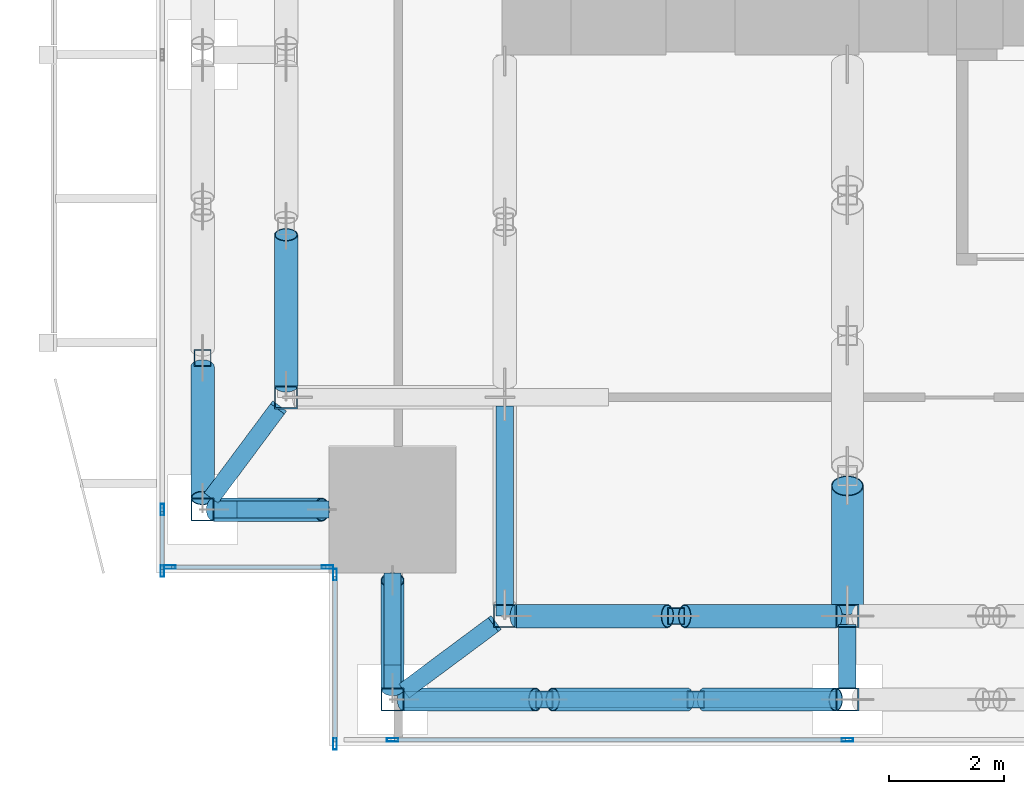
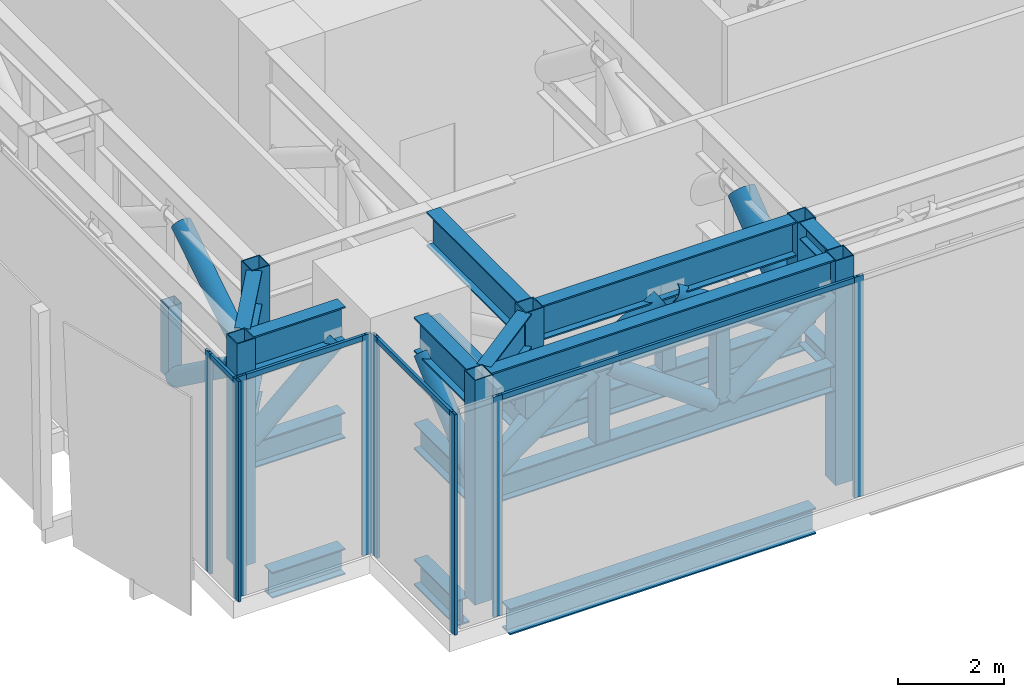
# One storey, part 2 of 39: 42 members, 9 beams, 4 elements without a shape of their own.
"""IFC4 building model written with IfcOpenShell, lengths in metres."""

from ifc_helpers import new_model, si_unit, direction, frame, origin, origin_2d, place, context, subcontext, project, spatial, hollow_rectangle, hollow_circle, i_section, extrude, source, transform, mapped, material, material_profile, profile_set, type_object, element, aggregate, save


model = new_model("IFC4")

# Units and contexts
model_context = context("Model", 3, precision=1e-05, world=origin(), true_north=direction((0.0, 1.0)))
body_context = subcontext(model_context, "Body", "Model", "MODEL_VIEW")
ifc_project = project(units=[si_unit("LENGTHUNIT", "METRE"), si_unit("AREAUNIT", "SQUARE_METRE"), si_unit("VOLUMEUNIT", "CUBIC_METRE"), si_unit("PLANEANGLEUNIT", "RADIAN"), si_unit("MASSUNIT", "GRAM", prefix="KILO")], contexts=[model_context])

# Site, building, storey
site_placement = place(None, origin())
site = spatial("IfcSite", under=ifc_project, at=site_placement, CompositionType="ELEMENT")
building_placement = place(site_placement, origin())
building = spatial("IfcBuilding", under=site, at=building_placement, Name="Khomas Fold Tower", CompositionType="ELEMENT")
storey_placement = place(building_placement, frame((0.0, 0.0, 96.0)))
storey = spatial("IfcBuildingStorey", under=building, at=storey_placement, Name="L20", CompositionType="ELEMENT", Elevation=96.0)

# Beams
ifc_material_1 = material(Name="Steel S355", Category="steel")
ifc_material_profile_1 = material_profile(ifc_material_1, i_section(OverallWidth=0.300048828125, OverallDepth=0.60009765625, WebThickness=0.015380859375, FlangeThickness=0.030029296875, at=origin_2d()), Name="HE 600 B")
ifc_profile_set_1 = profile_set([ifc_material_profile_1], Name="Steel S355")
beam_type_1 = type_object("IfcBeamType", Name="HE 600 B spandrel SB1", PredefinedType="SPANDREL", material=ifc_profile_set_1)
shared_shape_1 = source(origin(), body_context, "Body", "SweptSolid", [
    extrude(i_section(OverallWidth=0.300048828125, OverallDepth=0.60009765625, WebThickness=0.015380859375, FlangeThickness=0.030029296875, at=origin_2d()), origin(), (0.0, 0.0, 1.0), 6.699951171875),
])
beam_1_placement = place(storey_placement, frame((4.699951171875, 0.800048828125, -0.699951171875), z_axis=(1.0, 0.0, 0.0), x_axis=(0.0, 1.0, 0.0)))
element("IfcBeam", 1, at=beam_1_placement, inside=storey, type_object=beam_type_1, Name="SB1", PredefinedType="SPANDREL", context=body_context, shape_type="MappedRepresentation", body=[
    mapped(shared_shape_1, transform((0.0, 0.0, 0.0))),
])
shared_shape_2 = source(origin(), body_context, "Body", "SweptSolid", [
    extrude(i_section(OverallWidth=0.300048828125, OverallDepth=0.60009765625, WebThickness=0.015380859375, FlangeThickness=0.030029296875, at=origin_2d()), origin(), (0.0, 0.0, 1.0), 1.60009765625),
])
for number, where, z_axis, x_axis, name in (
    (2, (1.39990234375, 4.10009765625, -0.699951171875), (1.0, 0.0, 0.0), (0.0, 1.0, 0.0), "SB1"),
    (3, (4.10009765625, 1.39990234375, -0.699951171875), (0.0, 1.0, 0.0), (-1.0, 0.0, 0.0), "SB1"),
):
    element("IfcBeam", number, at=place(storey_placement, frame(where, z_axis=z_axis, x_axis=x_axis)), inside=storey, type_object=beam_type_1, Name=name, PredefinedType="SPANDREL", context=body_context, shape_type="MappedRepresentation", body=[
        mapped(shared_shape_2, transform((0.0, 0.0, 0.0))),
    ])

# Members
ifc_material_2 = material(Name="Steel S460M", Category="steel")
ifc_material_profile_2 = material_profile(ifc_material_2, i_section(OverallWidth=0.300048828125, OverallDepth=0.800048828125, WebThickness=0.017578125, FlangeThickness=0.032958984375, at=origin_2d()), Name="HE 800 B")
ifc_profile_set_2 = profile_set([ifc_material_profile_2], Name="Steel S460M")
member_type_1 = type_object("IfcMemberType", Name="BELT TRUSS 1 TOP CHORD HE 800 B", PredefinedType="CHORD", material=ifc_profile_set_2)
shared_shape_3 = source(origin(), body_context, "Body", "SweptSolid", [
    extrude(i_section(OverallWidth=0.300048828125, OverallDepth=0.800048828125, WebThickness=0.017578125, FlangeThickness=0.032958984375, at=origin_2d()), origin(), (0.0, 0.0, 1.0), 7.5),
])
member_1_placement = place(storey_placement, frame((4.300048828125, 0.800048828125, 4.800048828125), z_axis=(1.0, 0.0, 0.0), x_axis=(0.0, 1.0, 0.0)))
element("IfcMember", 4, at=member_1_placement, inside=storey, type_object=member_type_1, Name="BT1-CT", PredefinedType="CHORD", context=body_context, shape_type="MappedRepresentation", body=[
    mapped(shared_shape_3, transform((0.0, 0.0, 0.0))),
])
ifc_material_3 = material(Name="Steel S355", Category="steel")
ifc_material_profile_3 = material_profile(ifc_material_3, i_section(OverallWidth=0.300048828125, OverallDepth=0.60009765625, WebThickness=0.015380859375, FlangeThickness=0.030029296875, at=origin_2d()), Name="HE 600 B")
ifc_profile_set_3 = profile_set([ifc_material_profile_3], Name="Steel S355")
member_type_2 = type_object("IfcMemberType", Name="BELT TRUSS 1 BOTTOM CHORD HE 600 B", PredefinedType="CHORD", material=ifc_profile_set_3)
shared_shape_4 = source(origin(), body_context, "Body", "SweptSolid", [
    extrude(i_section(OverallWidth=0.300048828125, OverallDepth=0.60009765625, WebThickness=0.015380859375, FlangeThickness=0.030029296875, at=origin_2d()), origin(), (0.0, 0.0, 1.0), 7.5),
])
member_2_placement = place(storey_placement, frame((4.300048828125, 0.800048828125, 2.449951171875), z_axis=(1.0, 0.0, 0.0), x_axis=(0.0, 1.0, 0.0)))
element("IfcMember", 5, at=member_2_placement, inside=storey, type_object=member_type_2, Name="BT1-CB", PredefinedType="CHORD", context=body_context, shape_type="MappedRepresentation", body=[
    mapped(shared_shape_4, transform((0.0, 0.0, 0.0))),
])
ifc_material_4 = material(Name="Steel S355", Category="steel")
ifc_material_profile_4 = material_profile(ifc_material_4, hollow_circle(Radius=0.203125, WallThickness=0.01611328125, at=origin_2d()), Name="CHS 406.4x16")
ifc_profile_set_4 = profile_set([ifc_material_profile_4], Name="Steel S355")
member_type_3 = type_object("IfcMemberType", Name="BELT TRUSS 1 DIAGONAL CHS 406.4x16", PredefinedType="BRACE", material=ifc_profile_set_4)
shared_shape_5 = source(origin(), body_context, "Body", "SweptSolid", [
    extrude(hollow_circle(Radius=0.203125, WallThickness=0.01611328125, at=origin_2d()), origin(), (0.0, 0.0, 1.0), 2.82275390625),
])
for number, where, z_axis, x_axis, name in (
    (6, (4.300048828125, 0.800048828125, 2.7451171875), (0.808837053127, 0.0, 0.588032840485), (0.0, 1.0, 0.0), "BT1-D"),
    (7, (0.800048828125, 6.583251953125, 2.7451171875), (0.0, -0.808837053127, 0.588032840485), (1.0, 0.0, 0.0), "BT1-D"),
):
    element("IfcMember", number, at=place(storey_placement, frame(where, z_axis=z_axis, x_axis=x_axis)), inside=storey, type_object=member_type_3, Name=name, PredefinedType="BRACE", context=body_context, shape_type="MappedRepresentation", body=[
        mapped(shared_shape_5, transform((0.0, 0.0, 0.0))),
    ])
shared_shape_6 = source(origin(), body_context, "Body", "SweptSolid", [
    extrude(hollow_circle(Radius=0.203125, WallThickness=0.01611328125, at=origin_2d()), origin(), (0.0, 0.0, 1.0), 2.863525390625),
])
member_3_placement = place(storey_placement, frame((6.88330078125, 0.800048828125, 4.405029296875), z_axis=(0.814838084694, 0.0, -0.579688619633), x_axis=(0.0, 1.0, 0.0)))
element("IfcMember", 8, at=member_3_placement, inside=storey, type_object=member_type_3, Name="BT1-D", PredefinedType="BRACE", context=body_context, shape_type="MappedRepresentation", body=[
    mapped(shared_shape_6, transform((0.0, 0.0, 0.0))),
])
shared_shape_7 = source(origin(), body_context, "Body", "SweptSolid", [
    extrude(hollow_circle(Radius=0.203125, WallThickness=0.01611328125, at=origin_2d()), origin(), (0.0, 0.0, 1.0), 2.822998046875),
])
member_4_placement = place(storey_placement, frame((9.5166015625, 0.800048828125, 2.7451171875), z_axis=(0.808866956084, 0.0, 0.587991706876), x_axis=(0.0, 1.0, 0.0)))
element("IfcMember", 9, at=member_4_placement, inside=storey, type_object=member_type_3, Name="BT1-D", PredefinedType="BRACE", context=body_context, shape_type="MappedRepresentation", body=[
    mapped(shared_shape_7, transform((0.0, 0.0, 0.0))),
])
ifc_material_5 = material(Name="Steel S355", Category="steel")
ifc_material_profile_5 = material_profile(ifc_material_5, hollow_rectangle(XDim=0.300048828125, YDim=0.300048828125, WallThickness=0.01611328125, at=origin_2d()), Name="SHS 300x300x16")
ifc_profile_set_5 = profile_set([ifc_material_profile_5], Name="Steel S355")
member_type_4 = type_object("IfcMemberType", Name="BELT TRUSS 1 MID POST SHS 300x300x16", PredefinedType="POST", material=ifc_profile_set_5)
shared_shape_8 = source(origin(), body_context, "Body", "SweptSolid", [
    extrude(hollow_rectangle(XDim=0.300048828125, YDim=0.300048828125, WallThickness=0.01611328125, at=origin_2d()), origin(), (0.0, 0.0, 1.0), 1.64990234375),
])
for number, where, z_axis, x_axis, name in (
    (10, (6.7333984375, 0.800048828125, 2.75), (0.0, 0.0, 1.0), (1.0, 0.0, 0.0), "BT1-M"),
    (11, (9.36669921875, 0.800048828125, 2.75), (0.0, 0.0, 1.0), (1.0, 0.0, 0.0), "BT1-M"),
    (12, (0.800048828125, 6.7333984375, 2.75), (0.0, 0.0, 1.0), (1.0, 0.0, 0.0), "BT1-M"),
    (13, (9.02490234375, 2.25, 2.75), (0.0, 0.0, 1.0), (1.0, 0.0, 0.0), "BT1-M"),
):
    element("IfcMember", number, at=place(storey_placement, frame(where, z_axis=z_axis, x_axis=x_axis)), inside=storey, type_object=member_type_4, Name=name, PredefinedType="POST", context=body_context, shape_type="MappedRepresentation", body=[
        mapped(shared_shape_8, transform((0.0, 0.0, 0.0))),
    ])
ifc_material_6 = material(Name="Steel S460M", Category="steel")
ifc_material_profile_6 = material_profile(ifc_material_6, i_section(OverallWidth=0.300048828125, OverallDepth=0.800048828125, WebThickness=0.017578125, FlangeThickness=0.032958984375, at=origin_2d()), Name="HE 800 B")
ifc_profile_set_6 = profile_set([ifc_material_profile_6], Name="Steel S460M")
member_type_5 = type_object("IfcMemberType", Name="BELT TRUSS 1 TOP CHORD SHORTER HE 800 B", PredefinedType="CHORD", material=ifc_profile_set_6)
shared_shape_9 = source(origin(), body_context, "Body", "SweptSolid", [
    extrude(i_section(OverallWidth=0.300048828125, OverallDepth=0.800048828125, WebThickness=0.017578125, FlangeThickness=0.032958984375, at=origin_2d()), origin(), (0.0, 0.0, 1.0), 2.0),
])
for number, where, z_axis, x_axis, name in (
    (14, (1.0, 4.10009765625, 4.800048828125), (1.0, 0.0, 0.0), (0.0, 1.0, 0.0), "BT1-CTSS"),
    (15, (4.10009765625, 1.0, 4.800048828125), (0.0, 1.0, 0.0), (-1.0, 0.0, 0.0), "BT1-CTSS"),
):
    element("IfcMember", number, at=place(storey_placement, frame(where, z_axis=z_axis, x_axis=x_axis)), inside=storey, type_object=member_type_5, Name=name, PredefinedType="CHORD", context=body_context, shape_type="MappedRepresentation", body=[
        mapped(shared_shape_9, transform((0.0, 0.0, 0.0))),
    ])
ifc_material_7 = material(Name="Steel S355", Category="steel")
ifc_material_profile_7 = material_profile(ifc_material_7, i_section(OverallWidth=0.300048828125, OverallDepth=0.60009765625, WebThickness=0.015380859375, FlangeThickness=0.030029296875, at=origin_2d()), Name="HE 600 B")
ifc_profile_set_7 = profile_set([ifc_material_profile_7], Name="Steel S355")
member_type_6 = type_object("IfcMemberType", Name="BELT TRUSS 1 BOTTOM CHORD SHORTER HE 600 B", PredefinedType="CHORD", material=ifc_profile_set_7)
shared_shape_10 = source(origin(), body_context, "Body", "SweptSolid", [
    extrude(i_section(OverallWidth=0.300048828125, OverallDepth=0.60009765625, WebThickness=0.015380859375, FlangeThickness=0.030029296875, at=origin_2d()), origin(), (0.0, 0.0, 1.0), 2.0),
])
for number, where, z_axis, x_axis, name in (
    (16, (1.0, 4.10009765625, 2.449951171875), (1.0, 0.0, 0.0), (0.0, 1.0, 0.0), "BT1-CBSS"),
    (17, (4.10009765625, 1.0, 2.449951171875), (0.0, 1.0, 0.0), (-1.0, 0.0, 0.0), "BT1-CBSS"),
):
    element("IfcMember", number, at=place(storey_placement, frame(where, z_axis=z_axis, x_axis=x_axis)), inside=storey, type_object=member_type_6, Name=name, PredefinedType="CHORD", context=body_context, shape_type="MappedRepresentation", body=[
        mapped(shared_shape_10, transform((0.0, 0.0, 0.0))),
    ])
shared_shape_11 = source(origin(), body_context, "Body", "SweptSolid", [
    extrude(hollow_circle(Radius=0.203125, WallThickness=0.01611328125, at=origin_2d()), origin(), (0.0, 0.0, 1.0), 2.5009765625),
])
for number, where, z_axis, x_axis, name in (
    (18, (1.0, 4.10009765625, 2.7451171875), (0.74797457832, 0.0, 0.663727376403), (0.0, 1.0, 0.0), "BT1-D"),
    (19, (4.10009765625, 1.0, 2.7451171875), (0.0, 0.74797457832, 0.663727376403), (-1.0, 0.0, 0.0), "BT1-D"),
):
    element("IfcMember", number, at=place(storey_placement, frame(where, z_axis=z_axis, x_axis=x_axis)), inside=storey, type_object=member_type_3, Name=name, PredefinedType="BRACE", context=body_context, shape_type="MappedRepresentation", body=[
        mapped(shared_shape_11, transform((0.0, 0.0, 0.0))),
    ])
shared_shape_12 = source(origin(), body_context, "Body", "SweptSolid", [
    extrude(i_section(OverallWidth=0.300048828125, OverallDepth=0.800048828125, WebThickness=0.017578125, FlangeThickness=0.032958984375, at=origin_2d()), origin(), (0.0, 0.0, 1.0), 5.550048828125),
])
member_5_placement = place(storey_placement, frame((6.25, 2.25, 4.800048828125), z_axis=(1.0, 0.0, 0.0), x_axis=(0.0, 1.0, 0.0)))
element("IfcMember", 20, at=member_5_placement, inside=storey, type_object=member_type_1, Name="BT1-CT", PredefinedType="CHORD", context=body_context, shape_type="MappedRepresentation", body=[
    mapped(shared_shape_12, transform((0.0, 0.0, 0.0))),
])
shared_shape_13 = source(origin(), body_context, "Body", "SweptSolid", [
    extrude(i_section(OverallWidth=0.300048828125, OverallDepth=0.60009765625, WebThickness=0.015380859375, FlangeThickness=0.030029296875, at=origin_2d()), origin(), (0.0, 0.0, 1.0), 5.800048828125),
])
member_6_placement = place(storey_placement, frame((6.199951171875, 2.25, 2.449951171875), z_axis=(1.0, 0.0, 0.0), x_axis=(0.0, 1.0, 0.0)))
element("IfcMember", 21, at=member_6_placement, inside=storey, type_object=member_type_2, Name="BT1-CB", PredefinedType="CHORD", context=body_context, shape_type="MappedRepresentation", body=[
    mapped(shared_shape_13, transform((0.0, 0.0, 0.0))),
])
shared_shape_14 = source(origin(), body_context, "Body", "SweptSolid", [
    extrude(hollow_circle(Radius=0.203125, WallThickness=0.01611328125, at=origin_2d()), origin(), (0.0, 0.0, 1.0), 3.105712890625),
])
for number, where, z_axis, x_axis, name in (
    (22, (6.25, 2.25, 2.7451171875), (0.84519551241, 0.0, 0.534457244129), (0.0, 1.0, 0.0), "BT1-D"),
    (23, (9.175048828125, 2.25, 4.405029296875), (0.84519551241, 0.0, -0.534457244129), (0.0, 1.0, 0.0), "BT1-D"),
    (24, (2.25, 8.875, 4.405029296875), (0.0, -0.84519551241, -0.534457244129), (1.0, 0.0, 0.0), "BT1-D"),
):
    element("IfcMember", number, at=place(storey_placement, frame(where, z_axis=z_axis, x_axis=x_axis)), inside=storey, type_object=member_type_3, Name=name, PredefinedType="BRACE", context=body_context, shape_type="MappedRepresentation", body=[
        mapped(shared_shape_14, transform((0.0, 0.0, 0.0))),
    ])
ifc_material_8 = material(Name="Steel S460M", Category="steel")
ifc_material_profile_8 = material_profile(ifc_material_8, i_section(OverallWidth=0.300048828125, OverallDepth=0.800048828125, WebThickness=0.017578125, FlangeThickness=0.032958984375, at=origin_2d()), Name="HE 800 B")
ifc_profile_set_8 = profile_set([ifc_material_profile_8], Name="Steel S460M")
member_type_7 = type_object("IfcMemberType", Name="BELT TRUSS 1 TOP CHORD SHORT HE 800 B", PredefinedType="CHORD", material=ifc_profile_set_8)
shared_shape_15 = source(origin(), body_context, "Body", "SweptSolid", [
    extrude(i_section(OverallWidth=0.300048828125, OverallDepth=0.800048828125, WebThickness=0.017578125, FlangeThickness=0.032958984375, at=origin_2d()), origin(), (0.0, 0.0, 1.0), 3.449951171875),
])
member_7_placement = place(storey_placement, frame((6.050048828125, 2.449951171875, 4.800048828125), z_axis=(0.0, 1.0, 0.0), x_axis=(-1.0, 0.0, 0.0)))
element("IfcMember", 25, at=member_7_placement, inside=storey, type_object=member_type_7, Name="BT1-CTS", PredefinedType="CHORD", context=body_context, shape_type="MappedRepresentation", body=[
    mapped(shared_shape_15, transform((0.0, 0.0, 0.0))),
])
ifc_material_9 = material(Name="Steel S355", Category="steel")
ifc_material_profile_9 = material_profile(ifc_material_9, i_section(OverallWidth=0.300048828125, OverallDepth=0.60009765625, WebThickness=0.015380859375, FlangeThickness=0.030029296875, at=origin_2d()), Name="HE 600 B")
ifc_profile_set_9 = profile_set([ifc_material_profile_9], Name="Steel S355")
member_type_8 = type_object("IfcMemberType", Name="BELT TRUSS 1 BOTTOM CHORD SHORT HE 600 B", PredefinedType="CHORD", material=ifc_profile_set_9)
shared_shape_16 = source(origin(), body_context, "Body", "SweptSolid", [
    extrude(i_section(OverallWidth=0.300048828125, OverallDepth=0.60009765625, WebThickness=0.015380859375, FlangeThickness=0.030029296875, at=origin_2d()), origin(), (0.0, 0.0, 1.0), 3.64990234375),
])
member_8_placement = place(storey_placement, frame((6.050048828125, 2.25, 2.449951171875), z_axis=(0.0, 1.0, 0.0), x_axis=(-1.0, 0.0, 0.0)))
element("IfcMember", 26, at=member_8_placement, inside=storey, type_object=member_type_8, Name="BT1-CBS", PredefinedType="CHORD", context=body_context, shape_type="MappedRepresentation", body=[
    mapped(shared_shape_16, transform((0.0, 0.0, 0.0))),
])
ifc_material_10 = material(Name="Steel S460M", Category="steel")
ifc_material_profile_10 = material_profile(ifc_material_10, hollow_rectangle(XDim=0.39990234375, YDim=0.39990234375, WallThickness=0.02001953125, at=origin_2d()), Name="SHS 400x400x20")
ifc_profile_set_10 = profile_set([ifc_material_profile_10], Name="Steel S460M")
member_type_9 = type_object("IfcMemberType", Name="BELT TRUSS 1 COLUMN POST LONG SHS 400x400x20", PredefinedType="POST", material=ifc_profile_set_10)
shared_shape_17 = source(origin(), body_context, "Body", "SweptSolid", [
    extrude(hollow_rectangle(XDim=0.39990234375, YDim=0.39990234375, WallThickness=0.02001953125, at=origin_2d()), origin(), (0.0, 0.0, 1.0), 5.199951171875),
])
for number, where, z_axis, x_axis, name in (
    (27, (4.10009765625, 0.800048828125, 0.0), (0.0, 0.0, 1.0), (1.0, 0.0, 0.0), "BT1-PL"),
    (28, (12.0, 0.800048828125, 0.0), (0.0, 0.0, 1.0), (1.0, 0.0, 0.0), "BT1-PL"),
    (29, (0.800048828125, 4.10009765625, 0.0), (0.0, 0.0, 1.0), (1.0, 0.0, 0.0), "BT1-PL"),
):
    element("IfcMember", number, at=place(storey_placement, frame(where, z_axis=z_axis, x_axis=x_axis)), inside=storey, type_object=member_type_9, Name=name, PredefinedType="POST", context=body_context, shape_type="MappedRepresentation", body=[
        mapped(shared_shape_17, transform((0.0, 0.0, 0.0))),
    ])
ifc_material_11 = material(Name="Steel S460M", Category="steel")
ifc_material_profile_11 = material_profile(ifc_material_11, hollow_rectangle(XDim=0.39990234375, YDim=0.39990234375, WallThickness=0.02001953125, at=origin_2d()), Name="SHS 400x400x20")
ifc_profile_set_11 = profile_set([ifc_material_profile_11], Name="Steel S460M")
member_type_10 = type_object("IfcMemberType", Name="BELT TRUSS 1 COLUMN POST SHS 400x400x20", PredefinedType="POST", material=ifc_profile_set_11)
shared_shape_18 = source(origin(), body_context, "Body", "SweptSolid", [
    extrude(hollow_rectangle(XDim=0.39990234375, YDim=0.39990234375, WallThickness=0.02001953125, at=origin_2d()), origin(), (0.0, 0.0, 1.0), 2.449951171875),
])
for number, where, z_axis, x_axis, name in (
    (30, (6.050048828125, 2.25, 2.75), (0.0, 0.0, 1.0), (1.0, 0.0, 0.0), "BT1-P"),
    (31, (12.0, 2.25, 2.75), (0.0, 0.0, 1.0), (1.0, 0.0, 0.0), "BT1-P"),
    (32, (2.25, 6.050048828125, 2.75), (0.0, 0.0, 1.0), (1.0, 0.0, 0.0), "BT1-P"),
):
    element("IfcMember", number, at=place(storey_placement, frame(where, z_axis=z_axis, x_axis=x_axis)), inside=storey, type_object=member_type_10, Name=name, PredefinedType="POST", context=body_context, shape_type="MappedRepresentation", body=[
        mapped(shared_shape_18, transform((0.0, 0.0, 0.0))),
    ])

# Beams
ifc_material_12 = material(Name="Steel S460M", Category="steel")
ifc_material_profile_12 = material_profile(ifc_material_12, i_section(OverallWidth=0.300048828125, OverallDepth=0.800048828125, WebThickness=0.017578125, FlangeThickness=0.032958984375, at=origin_2d()), Name="HE 800 B")
ifc_profile_set_12 = profile_set([ifc_material_profile_12], Name="Steel S460M")
beam_type_2 = type_object("IfcBeamType", Name="BELT TRUSS 1 TOP TRANSFER STRUT HE 800 B", PredefinedType="BEAM", material=ifc_profile_set_12)
shared_shape_19 = source(origin(), body_context, "Body", "SweptSolid", [
    extrude(i_section(OverallWidth=0.300048828125, OverallDepth=0.800048828125, WebThickness=0.017578125, FlangeThickness=0.032958984375, at=origin_2d()), origin(), (0.0, 0.0, 1.0), 1.931640625),
])
for number, where, z_axis, x_axis, name in (
    (33, (5.85009765625, 2.101318359375, 4.800048828125), (-0.802465444559, -0.596698592497, 0.0), (0.596698592497, -0.802465444559, 0.0), "BT1-STD"),
    (34, (2.101318359375, 5.85009765625, 4.800048828125), (-0.596698592497, -0.802465444559, 0.0), (0.802465444559, -0.596698592497, 0.0), "BT1-STD"),
):
    element("IfcBeam", number, at=place(storey_placement, frame(where, z_axis=z_axis, x_axis=x_axis)), inside=storey, type_object=beam_type_2, Name=name, PredefinedType="BEAM", context=body_context, shape_type="MappedRepresentation", body=[
        mapped(shared_shape_19, transform((0.0, 0.0, 0.0))),
    ])
ifc_material_13 = material(Name="Steel S355", Category="steel")
ifc_material_profile_13 = material_profile(ifc_material_13, i_section(OverallWidth=0.300048828125, OverallDepth=0.39990234375, WebThickness=0.013427734375, FlangeThickness=0.02392578125, at=origin_2d()), Name="HE 400 B")
ifc_profile_set_13 = profile_set([ifc_material_profile_13], Name="Steel S355")
beam_type_3 = type_object("IfcBeamType", Name="BELT TRUSS 1 BOTTOM STRUT LONG HE 400 B", PredefinedType="BEAM", material=ifc_profile_set_13)
shared_shape_20 = source(origin(), body_context, "Body", "SweptSolid", [
    extrude(i_section(OverallWidth=0.300048828125, OverallDepth=0.39990234375, WebThickness=0.013427734375, FlangeThickness=0.02392578125, at=origin_2d()), origin(), (0.0, 0.0, 1.0), 1.99365234375),
])
for number, where, z_axis, x_axis, name in (
    (35, (5.89990234375, 2.138427734375, 2.550048828125), (-0.802447306002, -0.59672298522, 0.0), (0.59672298522, -0.802447306002, 0.0), "BT1-SBL"),
    (36, (2.138427734375, 5.89990234375, 2.550048828125), (-0.59672298522, -0.802447306002, 0.0), (0.802447306002, -0.59672298522, 0.0), "BT1-SBL"),
):
    element("IfcBeam", number, at=place(storey_placement, frame(where, z_axis=z_axis, x_axis=x_axis)), inside=storey, type_object=beam_type_3, Name=name, PredefinedType="BEAM", context=body_context, shape_type="MappedRepresentation", body=[
        mapped(shared_shape_20, transform((0.0, 0.0, 0.0))),
    ])
ifc_material_14 = material(Name="Steel S355", Category="steel")
ifc_material_profile_14 = material_profile(ifc_material_14, i_section(OverallWidth=0.300048828125, OverallDepth=0.39990234375, WebThickness=0.013427734375, FlangeThickness=0.02392578125, at=origin_2d()), Name="HE 400 B")
ifc_profile_set_14 = profile_set([ifc_material_profile_14], Name="Steel S355")
beam_type_4 = type_object("IfcBeamType", Name="BELT TRUSS 1 TOP STRUT HE 400 B", PredefinedType="BEAM", material=ifc_profile_set_14)
shared_shape_21 = source(origin(), body_context, "Body", "SweptSolid", [
    extrude(i_section(OverallWidth=0.300048828125, OverallDepth=0.39990234375, WebThickness=0.013427734375, FlangeThickness=0.02392578125, at=origin_2d()), origin(), (0.0, 0.0, 1.0), 1.050048828125),
])
beam_2_placement = place(storey_placement, frame((12.0, 2.050048828125, 5.0), z_axis=(0.0, -1.0, 0.0), x_axis=(1.0, 0.0, 0.0)))
element("IfcBeam", 37, at=beam_2_placement, inside=storey, type_object=beam_type_4, Name="BT1-ST", PredefinedType="BEAM", context=body_context, shape_type="MappedRepresentation", body=[
    mapped(shared_shape_21, transform((0.0, 0.0, 0.0))),
])
ifc_material_15 = material(Name="Steel S355", Category="steel")
ifc_material_profile_15 = material_profile(ifc_material_15, i_section(OverallWidth=0.300048828125, OverallDepth=0.39990234375, WebThickness=0.013427734375, FlangeThickness=0.02392578125, at=origin_2d()), Name="HE 400 B")
ifc_profile_set_15 = profile_set([ifc_material_profile_15], Name="Steel S355")
beam_type_5 = type_object("IfcBeamType", Name="BELT TRUSS 1 BOTTOM STRUT HE 400 B", PredefinedType="BEAM", material=ifc_profile_set_15)
shared_shape_22 = source(origin(), body_context, "Body", "SweptSolid", [
    extrude(i_section(OverallWidth=0.300048828125, OverallDepth=0.39990234375, WebThickness=0.013427734375, FlangeThickness=0.02392578125, at=origin_2d()), origin(), (0.0, 0.0, 1.0), 1.10009765625),
])
beam_3_placement = place(storey_placement, frame((12.0, 2.10009765625, 2.550048828125), z_axis=(0.0, -1.0, 0.0), x_axis=(1.0, 0.0, 0.0)))
element("IfcBeam", 38, at=beam_3_placement, inside=storey, type_object=beam_type_5, Name="BT1-SB", PredefinedType="BEAM", context=body_context, shape_type="MappedRepresentation", body=[
    mapped(shared_shape_22, transform((0.0, 0.0, 0.0))),
])

# Member
ifc_material_16 = material(Name="Steel S355", Category="steel")
ifc_material_profile_16 = material_profile(ifc_material_16, hollow_circle(Radius=0.279541015625, WallThickness=0.01611328125, at=origin_2d()), Name="CHS 559x16")
ifc_profile_set_16 = profile_set([ifc_material_profile_16], Name="Steel S355")
member_type_11 = type_object("IfcMemberType", Name="OUTRIGGER 1 DIAGONAL CHS 559x16", PredefinedType="BRACE", material=ifc_profile_set_16)
shared_shape_23 = source(origin(), body_context, "Body", "SweptSolid", [
    extrude(hollow_circle(Radius=0.279541015625, WallThickness=0.01611328125, at=origin_2d()), origin(), (0.0, 0.0, 1.0), 2.62646484375),
])
member_9_placement = place(storey_placement, frame((12.0, 4.512451171875, 4.39111328125), z_axis=(0.0, -0.785265689158, -0.619158943594), x_axis=(1.0, 0.0, 0.0)))
element("IfcMember", 39, at=member_9_placement, inside=storey, type_object=member_type_11, Name="OR1-D", PredefinedType="BRACE", context=body_context, shape_type="MappedRepresentation", body=[
    mapped(shared_shape_23, transform((0.0, 0.0, 0.0))),
])

# Curtain wall, members
ifc_material_17 = material(Name="Aluminium framed double glazing", Category="aluminium")
curtain_wall_type = type_object("IfcCurtainWallType", Name="SK-Plant louvre wall CW4", PredefinedType="NOTDEFINED", material=ifc_material_17)
curtain_wall_1_placement = place(storey_placement, origin())
curtain_wall_1 = element("IfcCurtainWall", 40, at=curtain_wall_1_placement, inside=storey, type_object=curtain_wall_type, Name="CW4 run L20 00-0", PredefinedType="NOTDEFINED")
ifc_material_18 = material(Name="Aluminium", Category="aluminium")
ifc_material_profile_17 = material_profile(ifc_material_18, hollow_rectangle(XDim=0.06005859375, YDim=0.199951171875, WallThickness=0.00390625, at=origin_2d()), Name="SK-Plant louvre wall mullion CW4-M")
ifc_profile_set_17 = profile_set([ifc_material_profile_17], Name="Aluminium")
member_type_12 = type_object("IfcMemberType", Name="SK-Plant louvre wall mullion CW4-M", PredefinedType="MULLION", material=ifc_profile_set_17)
shared_shape_24 = source(origin(), body_context, "Body", "SweptSolid", [
    extrude(hollow_rectangle(XDim=0.06005859375, YDim=0.199951171875, WallThickness=0.00390625, at=origin_2d()), origin(), (0.0, 0.0, 1.0), 5.10009765625),
])
member_10_placement = place(storey_placement, frame((4.10009765625, 0.10009765625, 0.0), z_axis=(0.0, 0.0, 1.0), x_axis=(0.0, 1.0, 0.0)))
member_10 = element("IfcMember", 41, at=member_10_placement, type_object=member_type_12, Name="CW4 mullion 2", PredefinedType="MULLION", context=body_context, shape_type="MappedRepresentation", body=[
    mapped(shared_shape_24, transform((0.0, 0.0, 0.0))),
])
member_11_placement = place(storey_placement, frame((12.0, 0.10009765625, 0.0), z_axis=(0.0, 0.0, 1.0), x_axis=(0.0, 1.0, 0.0)))
member_11 = element("IfcMember", 42, at=member_11_placement, type_object=member_type_12, Name="CW4 mullion 3", PredefinedType="MULLION", context=body_context, shape_type="MappedRepresentation", body=[
    mapped(shared_shape_24, transform((0.0, 0.0, 0.0))),
])

curtain_wall_2_placement = place(storey_placement, origin())
curtain_wall_2 = element("IfcCurtainWall", 43, at=curtain_wall_2_placement, inside=storey, type_object=curtain_wall_type, Name="CW4 run L20 09-0", PredefinedType="NOTDEFINED")
member_12_placement = place(storey_placement, frame((0.10009765625, 4.10009765625, 0.0), z_axis=(0.0, 0.0, 1.0), x_axis=(1.0, 0.0, 0.0)))
member_12 = element("IfcMember", 44, at=member_12_placement, type_object=member_type_12, Name="CW4 mullion 8", PredefinedType="MULLION", context=body_context, shape_type="MappedRepresentation", body=[
    mapped(shared_shape_24, transform((0.0, 0.0, 0.0))),
])
member_13_placement = place(storey_placement, frame((0.10009765625, 3.030029296875, 0.0), z_axis=(0.0, 0.0, 1.0), x_axis=(1.0, 0.0, 0.0)))
member_13 = element("IfcMember", 45, at=member_13_placement, type_object=member_type_12, Name="CW4 mullion 9", PredefinedType="MULLION", context=body_context, shape_type="MappedRepresentation", body=[
    mapped(shared_shape_24, transform((0.0, 0.0, 0.0))),
])

curtain_wall_3_placement = place(storey_placement, origin())
curtain_wall_3 = element("IfcCurtainWall", 46, at=curtain_wall_3_placement, inside=storey, type_object=curtain_wall_type, Name="CW4 corner return L20 10", PredefinedType="NOTDEFINED")
member_14_placement = place(storey_placement, frame((0.22998046875, 3.10009765625, 0.0), z_axis=(0.0, 0.0, 1.0), x_axis=(0.0, 1.0, 0.0)))
member_14 = element("IfcMember", 47, at=member_14_placement, type_object=member_type_12, Name="CW4 mullion 1", PredefinedType="MULLION", context=body_context, shape_type="MappedRepresentation", body=[
    mapped(shared_shape_24, transform((0.0, 0.0, 0.0))),
])
member_15_placement = place(storey_placement, frame((2.969970703125, 3.10009765625, 0.0), z_axis=(0.0, 0.0, 1.0), x_axis=(0.0, 1.0, 0.0)))
member_15 = element("IfcMember", 48, at=member_15_placement, type_object=member_type_12, Name="CW4 mullion 2", PredefinedType="MULLION", context=body_context, shape_type="MappedRepresentation", body=[
    mapped(shared_shape_24, transform((0.0, 0.0, 0.0))),
])

curtain_wall_4_placement = place(storey_placement, origin())
curtain_wall_4 = element("IfcCurtainWall", 49, at=curtain_wall_4_placement, inside=storey, type_object=curtain_wall_type, Name="CW4 corner return L20 11", PredefinedType="NOTDEFINED")
member_16_placement = place(storey_placement, frame((3.10009765625, 2.969970703125, 0.0), z_axis=(0.0, 0.0, 1.0), x_axis=(1.0, 0.0, 0.0)))
member_16 = element("IfcMember", 50, at=member_16_placement, type_object=member_type_12, Name="CW4 mullion 1", PredefinedType="MULLION", context=body_context, shape_type="MappedRepresentation", body=[
    mapped(shared_shape_24, transform((0.0, 0.0, 0.0))),
])
member_17_placement = place(storey_placement, frame((3.10009765625, 0.030029296875, 0.0), z_axis=(0.0, 0.0, 1.0), x_axis=(1.0, 0.0, 0.0)))
member_17 = element("IfcMember", 51, at=member_17_placement, type_object=member_type_12, Name="CW4 mullion 2", PredefinedType="MULLION", context=body_context, shape_type="MappedRepresentation", body=[
    mapped(shared_shape_24, transform((0.0, 0.0, 0.0))),
])

# Member
ifc_material_19 = material(Name="Aluminium", Category="aluminium")
ifc_material_profile_18 = material_profile(ifc_material_19, hollow_rectangle(XDim=0.06005859375, YDim=0.1201171875, WallThickness=0.00390625, at=origin_2d()), Name="SK-Plant louvre wall transom CW4-T")
ifc_profile_set_18 = profile_set([ifc_material_profile_18], Name="Aluminium")
member_type_13 = type_object("IfcMemberType", Name="SK-Plant louvre wall transom CW4-T", PredefinedType="USERDEFINED", material=ifc_profile_set_18)
shared_shape_25 = source(origin(), body_context, "Body", "SweptSolid", [
    extrude(hollow_rectangle(XDim=0.06005859375, YDim=0.1201171875, WallThickness=0.00390625, at=origin_2d()), origin(), (0.0, 0.0, 1.0), 7.840087890625),
])
member_18_placement = place(storey_placement, frame((4.1298828125, 0.10009765625, 5.0400390625), z_axis=(1.0, 0.0, 0.0), x_axis=(0.0, 1.0, 0.0)))
member_18 = element("IfcMember", 52, at=member_18_placement, type_object=member_type_13, Name="CW4 transom 2", ObjectType="TRANSOM", PredefinedType="USERDEFINED", context=body_context, shape_type="MappedRepresentation", body=[
    mapped(shared_shape_25, transform((0.0, 0.0, 0.0))),
])

aggregate(curtain_wall_1, [member_10, member_11, member_18])

shared_shape_26 = source(origin(), body_context, "Body", "SweptSolid", [
    extrude(hollow_rectangle(XDim=0.06005859375, YDim=0.1201171875, WallThickness=0.00390625, at=origin_2d()), origin(), (0.0, 0.0, 1.0), 1.010009765625),
])
member_19_placement = place(storey_placement, frame((0.10009765625, 4.070068359375, 5.0400390625), z_axis=(0.0, -1.0, 0.0), x_axis=(1.0, 0.0, 0.0)))
member_19 = element("IfcMember", 53, at=member_19_placement, type_object=member_type_13, Name="CW4 transom 8", ObjectType="TRANSOM", PredefinedType="USERDEFINED", context=body_context, shape_type="MappedRepresentation", body=[
    mapped(shared_shape_26, transform((0.0, 0.0, 0.0))),
])

aggregate(curtain_wall_2, [member_12, member_13, member_19])

shared_shape_27 = source(origin(), body_context, "Body", "SweptSolid", [
    extrude(hollow_rectangle(XDim=0.06005859375, YDim=0.1201171875, WallThickness=0.00390625, at=origin_2d()), origin(), (0.0, 0.0, 1.0), 2.679931640625),
])
member_20_placement = place(storey_placement, frame((0.260009765625, 3.10009765625, 5.0400390625), z_axis=(1.0, 0.0, 0.0), x_axis=(0.0, 1.0, 0.0)))
member_20 = element("IfcMember", 54, at=member_20_placement, type_object=member_type_13, Name="CW4 transom 1", ObjectType="TRANSOM", PredefinedType="USERDEFINED", context=body_context, shape_type="MappedRepresentation", body=[
    mapped(shared_shape_27, transform((0.0, 0.0, 0.0))),
])

aggregate(curtain_wall_3, [member_14, member_15, member_20])

shared_shape_28 = source(origin(), body_context, "Body", "SweptSolid", [
    extrude(hollow_rectangle(XDim=0.06005859375, YDim=0.1201171875, WallThickness=0.00390625, at=origin_2d()), origin(), (0.0, 0.0, 1.0), 2.8798828125),
])
member_21_placement = place(storey_placement, frame((3.10009765625, 2.93994140625, 5.0400390625), z_axis=(0.0, -1.0, 0.0), x_axis=(1.0, 0.0, 0.0)))
member_21 = element("IfcMember", 55, at=member_21_placement, type_object=member_type_13, Name="CW4 transom 1", ObjectType="TRANSOM", PredefinedType="USERDEFINED", context=body_context, shape_type="MappedRepresentation", body=[
    mapped(shared_shape_28, transform((0.0, 0.0, 0.0))),
])

aggregate(curtain_wall_4, [member_16, member_17, member_21])

save(model, "model.ifc")
